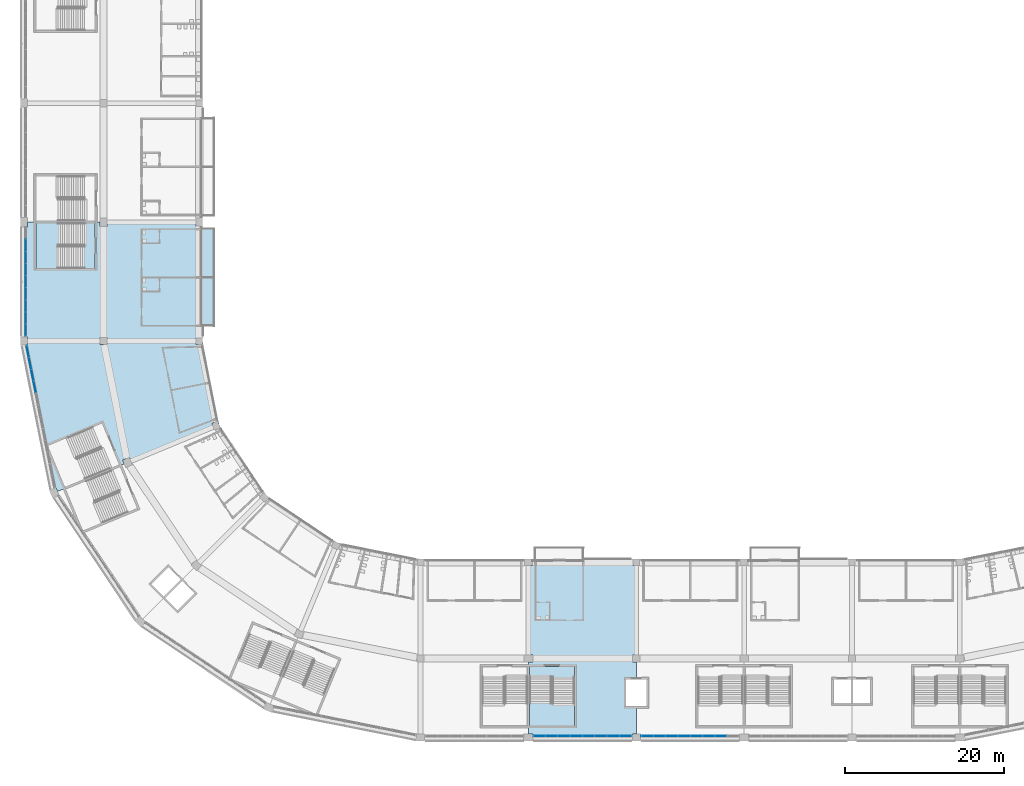
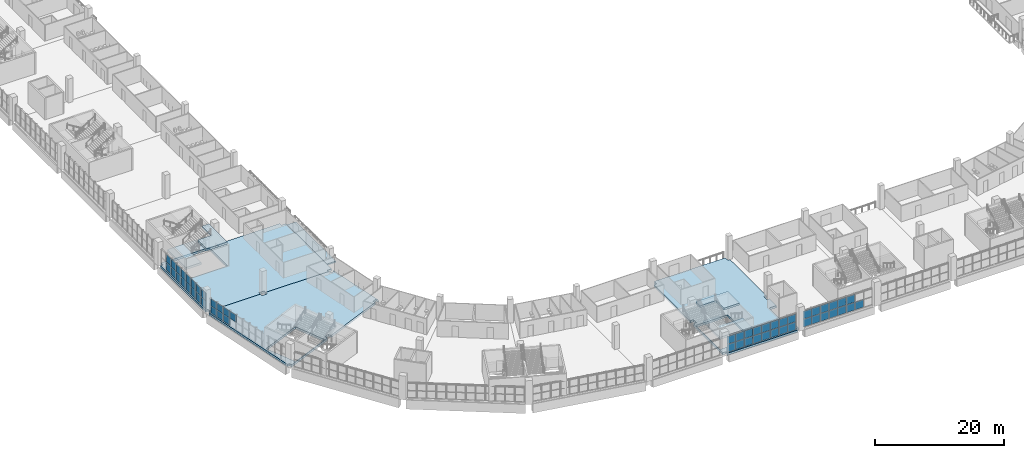
# One storey, part 57 of 199: 52 plates, 8 slabs, 6 elements without a shape of their own.
"""IFC4 building model written with IfcOpenShell, lengths in metres."""

from ifc_helpers import new_model, si_unit, direction, frame, origin, origin_2d, place, context, subcontext, project, spatial, polyline, rectangle, outline, extrude, material, layer, layer_set, type_object, element, aggregate, save


model = new_model("IFC4")

# Units and contexts
model_context = context("Model", 3, precision=1e-05, world=origin(), true_north=direction((0.0, 1.0)))
body_context = subcontext(model_context, "Body", "Model", "MODEL_VIEW")
ifc_project = project(units=[si_unit("LENGTHUNIT", "METRE"), si_unit("AREAUNIT", "SQUARE_METRE"), si_unit("VOLUMEUNIT", "CUBIC_METRE"), si_unit("PLANEANGLEUNIT", "RADIAN"), si_unit("MASSUNIT", "GRAM", prefix="KILO")], contexts=[model_context])

# Site, building, storey
site_placement = place(None, origin())
site = spatial("IfcSite", under=ifc_project, at=site_placement, CompositionType="ELEMENT")
building_placement = place(site_placement, origin())
building = spatial("IfcBuilding", under=site, at=building_placement, Name="Ogive Plaza Stadium", CompositionType="ELEMENT")
storey_placement = place(building_placement, frame((0.0, 0.0, 9.0)))
storey = spatial("IfcBuildingStorey", under=building, at=storey_placement, Name="L02", CompositionType="ELEMENT", Elevation=9.0)

# Slab
ifc_material_1 = material(Name="Concrete C40/50", Category="concrete")
ifc_layer_1 = layer(ifc_material_1, 0.25)
ifc_layer_set_1 = layer_set([ifc_layer_1], Name="Concrete C40/50")
slab_type_1 = type_object("IfcSlabType", Name="Balcony slab 250", PredefinedType="FLOOR", material=ifc_layer_set_1)
slab_1_placement = place(storey_placement, frame((0.0, 0.0, -0.25)))
element("IfcSlab", 1, at=slab_1_placement, inside=storey, type_object=slab_type_1, Name="Suite terrace slab B21", PredefinedType="FLOOR", context=body_context, shape_type="SweptSolid", body=[
    extrude(outline(polyline([(-59.89990234375, -38.324951171875), (-61.5, -38.324951171875), (-61.5, -50.625), (-59.89990234375, -50.625), (-59.89990234375, -38.324951171875)])), origin(), (0.0, 0.0, 1.0), 0.25),
])

# Curtain wall, plates
ifc_material_2 = material(Name="Bronze-anodised aluminium with laminated glass", Category="aluminium")
curtain_wall_type = type_object("IfcCurtainWallType", Name="Lancet curtain wall", PredefinedType="NOTDEFINED", material=ifc_material_2)
curtain_wall_1_placement = place(storey_placement, origin())
curtain_wall_1 = element("IfcCurtainWall", 2, at=curtain_wall_1_placement, inside=storey, type_object=curtain_wall_type, Name="CURTAIN WALL B14 L02", PredefinedType="NOTDEFINED")
ifc_material_3 = material(Name="Laminated glass", Category="glass")
ifc_layer_2 = layer(ifc_material_3, 0.028076171875)
ifc_layer_set_2 = layer_set([ifc_layer_2], Name="Laminated glass panel 28")
plate_type = type_object("IfcPlateType", Name="Laminated glass panel 28", PredefinedType="CURTAIN_PANEL", material=ifc_layer_set_2)
plate_1_placement = place(storey_placement, frame((3.875, -102.300048828125, 0.0498046875), z_axis=(0.0, 0.0, 1.0), x_axis=(-1.0, 0.0, 0.0)))
plate_1 = element("IfcPlate", 3, at=plate_1_placement, type_object=plate_type, Name="CW-B14-L02 panel 2.1", PredefinedType="CURTAIN_PANEL", context=body_context, shape_type="SweptSolid", body=[
    extrude(rectangle(XDim=1.5, YDim=0.028076171875, at=origin_2d()), origin(), (0.0, 0.0, 1.0), 1.469970703125),
])
plate_2_placement = place(storey_placement, frame((2.324951171875, -102.300048828125, 0.0498046875), z_axis=(0.0, 0.0, 1.0), x_axis=(-1.0, 0.0, 0.0)))
plate_2 = element("IfcPlate", 4, at=plate_2_placement, type_object=plate_type, Name="CW-B14-L02 panel 3.1", PredefinedType="CURTAIN_PANEL", context=body_context, shape_type="SweptSolid", body=[
    extrude(rectangle(XDim=1.5, YDim=0.028076171875, at=origin_2d()), origin(), (0.0, 0.0, 1.0), 1.469970703125),
])
plate_3_placement = place(storey_placement, frame((2.324951171875, -102.300048828125, 1.56982421875), z_axis=(0.0, 0.0, 1.0), x_axis=(-1.0, 0.0, 0.0)))
plate_3 = element("IfcPlate", 5, at=plate_3_placement, type_object=plate_type, Name="CW-B14-L02 panel 3.2", PredefinedType="CURTAIN_PANEL", context=body_context, shape_type="SweptSolid", body=[
    extrude(rectangle(XDim=1.5, YDim=0.028076171875, at=origin_2d()), origin(), (0.0, 0.0, 1.0), 1.469970703125),
])
plate_4_placement = place(storey_placement, frame((0.77490234375, -102.300048828125, 0.0498046875), z_axis=(0.0, 0.0, 1.0), x_axis=(-1.0, 0.0, 0.0)))
plate_4 = element("IfcPlate", 6, at=plate_4_placement, type_object=plate_type, Name="CW-B14-L02 panel 4.1", PredefinedType="CURTAIN_PANEL", context=body_context, shape_type="SweptSolid", body=[
    extrude(rectangle(XDim=1.5, YDim=0.028076171875, at=origin_2d()), origin(), (0.0, 0.0, 1.0), 1.469970703125),
])
plate_5_placement = place(storey_placement, frame((0.77490234375, -102.300048828125, 1.56982421875), z_axis=(0.0, 0.0, 1.0), x_axis=(-1.0, 0.0, 0.0)))
plate_5 = element("IfcPlate", 7, at=plate_5_placement, type_object=plate_type, Name="CW-B14-L02 panel 4.2", PredefinedType="CURTAIN_PANEL", context=body_context, shape_type="SweptSolid", body=[
    extrude(rectangle(XDim=1.5, YDim=0.028076171875, at=origin_2d()), origin(), (0.0, 0.0, 1.0), 1.469970703125),
])
plate_6_placement = place(storey_placement, frame((-0.77490234375, -102.300048828125, 0.0498046875), z_axis=(0.0, 0.0, 1.0), x_axis=(-1.0, 0.0, 0.0)))
plate_6 = element("IfcPlate", 8, at=plate_6_placement, type_object=plate_type, Name="CW-B14-L02 panel 5.1", PredefinedType="CURTAIN_PANEL", context=body_context, shape_type="SweptSolid", body=[
    extrude(rectangle(XDim=1.5, YDim=0.028076171875, at=origin_2d()), origin(), (0.0, 0.0, 1.0), 1.469970703125),
])
plate_7_placement = place(storey_placement, frame((-0.77490234375, -102.300048828125, 1.56982421875), z_axis=(0.0, 0.0, 1.0), x_axis=(-1.0, 0.0, 0.0)))
plate_7 = element("IfcPlate", 9, at=plate_7_placement, type_object=plate_type, Name="CW-B14-L02 panel 5.2", PredefinedType="CURTAIN_PANEL", context=body_context, shape_type="SweptSolid", body=[
    extrude(rectangle(XDim=1.5, YDim=0.028076171875, at=origin_2d()), origin(), (0.0, 0.0, 1.0), 1.469970703125),
])
plate_8_placement = place(storey_placement, frame((-2.324951171875, -102.300048828125, 0.0498046875), z_axis=(0.0, 0.0, 1.0), x_axis=(-1.0, 0.0, 0.0)))
plate_8 = element("IfcPlate", 10, at=plate_8_placement, type_object=plate_type, Name="CW-B14-L02 panel 6.1", PredefinedType="CURTAIN_PANEL", context=body_context, shape_type="SweptSolid", body=[
    extrude(rectangle(XDim=1.5, YDim=0.028076171875, at=origin_2d()), origin(), (0.0, 0.0, 1.0), 1.469970703125),
])
plate_9_placement = place(storey_placement, frame((-2.324951171875, -102.300048828125, 1.56982421875), z_axis=(0.0, 0.0, 1.0), x_axis=(-1.0, 0.0, 0.0)))
plate_9 = element("IfcPlate", 11, at=plate_9_placement, type_object=plate_type, Name="CW-B14-L02 panel 6.2", PredefinedType="CURTAIN_PANEL", context=body_context, shape_type="SweptSolid", body=[
    extrude(rectangle(XDim=1.5, YDim=0.028076171875, at=origin_2d()), origin(), (0.0, 0.0, 1.0), 1.469970703125),
])
plate_10_placement = place(storey_placement, frame((-3.875, -102.300048828125, 0.0498046875), z_axis=(0.0, 0.0, 1.0), x_axis=(-1.0, 0.0, 0.0)))
plate_10 = element("IfcPlate", 12, at=plate_10_placement, type_object=plate_type, Name="CW-B14-L02 panel 7.1", PredefinedType="CURTAIN_PANEL", context=body_context, shape_type="SweptSolid", body=[
    extrude(rectangle(XDim=1.5, YDim=0.028076171875, at=origin_2d()), origin(), (0.0, 0.0, 1.0), 1.469970703125),
])
plate_11_placement = place(storey_placement, frame((-3.875, -102.300048828125, 1.56982421875), z_axis=(0.0, 0.0, 1.0), x_axis=(-1.0, 0.0, 0.0)))
plate_11 = element("IfcPlate", 13, at=plate_11_placement, type_object=plate_type, Name="CW-B14-L02 panel 7.2", PredefinedType="CURTAIN_PANEL", context=body_context, shape_type="SweptSolid", body=[
    extrude(rectangle(XDim=1.5, YDim=0.028076171875, at=origin_2d()), origin(), (0.0, 0.0, 1.0), 1.469970703125),
])
plate_12_placement = place(storey_placement, frame((-5.41259765625, -102.300048828125, 0.0498046875), z_axis=(0.0, 0.0, 1.0), x_axis=(-1.0, 0.0, 0.0)))
plate_12 = element("IfcPlate", 14, at=plate_12_placement, type_object=plate_type, Name="CW-B14-L02 panel 8.1", PredefinedType="CURTAIN_PANEL", context=body_context, shape_type="SweptSolid", body=[
    extrude(rectangle(XDim=1.47509765625, YDim=0.028076171875, at=origin_2d()), origin(), (0.0, 0.0, 1.0), 1.469970703125),
])
plate_13_placement = place(storey_placement, frame((-5.41259765625, -102.300048828125, 1.56982421875), z_axis=(0.0, 0.0, 1.0), x_axis=(-1.0, 0.0, 0.0)))
plate_13 = element("IfcPlate", 15, at=plate_13_placement, type_object=plate_type, Name="CW-B14-L02 panel 8.2", PredefinedType="CURTAIN_PANEL", context=body_context, shape_type="SweptSolid", body=[
    extrude(rectangle(XDim=1.47509765625, YDim=0.028076171875, at=origin_2d()), origin(), (0.0, 0.0, 1.0), 1.469970703125),
])
aggregate(curtain_wall_1, [plate_1, plate_2, plate_3, plate_4, plate_5, plate_6, plate_7, plate_8, plate_9, plate_10, plate_11, plate_12, plate_13])

curtain_wall_2_placement = place(storey_placement, origin())
curtain_wall_2 = element("IfcCurtainWall", 16, at=curtain_wall_2_placement, inside=storey, type_object=curtain_wall_type, Name="CURTAIN WALL B15 L02", PredefinedType="NOTDEFINED")
plate_14_placement = place(storey_placement, frame((-8.1875, -102.300048828125, 0.0498046875), z_axis=(0.0, 0.0, 1.0), x_axis=(-1.0, 0.0, 0.0)))
plate_14 = element("IfcPlate", 17, at=plate_14_placement, type_object=plate_type, Name="CW-B15-L02 panel 1.1", PredefinedType="CURTAIN_PANEL", context=body_context, shape_type="SweptSolid", body=[
    extrude(rectangle(XDim=1.47509765625, YDim=0.028076171875, at=origin_2d()), origin(), (0.0, 0.0, 1.0), 1.469970703125),
])
plate_15_placement = place(storey_placement, frame((-8.1875, -102.300048828125, 1.56982421875), z_axis=(0.0, 0.0, 1.0), x_axis=(-1.0, 0.0, 0.0)))
plate_15 = element("IfcPlate", 18, at=plate_15_placement, type_object=plate_type, Name="CW-B15-L02 panel 1.2", PredefinedType="CURTAIN_PANEL", context=body_context, shape_type="SweptSolid", body=[
    extrude(rectangle(XDim=1.47509765625, YDim=0.028076171875, at=origin_2d()), origin(), (0.0, 0.0, 1.0), 1.469970703125),
])
plate_16_placement = place(storey_placement, frame((-9.72509765625, -102.300048828125, 0.0498046875), z_axis=(0.0, 0.0, 1.0), x_axis=(-1.0, 0.0, 0.0)))
plate_16 = element("IfcPlate", 19, at=plate_16_placement, type_object=plate_type, Name="CW-B15-L02 panel 2.1", PredefinedType="CURTAIN_PANEL", context=body_context, shape_type="SweptSolid", body=[
    extrude(rectangle(XDim=1.5, YDim=0.028076171875, at=origin_2d()), origin(), (0.0, 0.0, 1.0), 1.469970703125),
])
plate_17_placement = place(storey_placement, frame((-9.72509765625, -102.300048828125, 1.56982421875), z_axis=(0.0, 0.0, 1.0), x_axis=(-1.0, 0.0, 0.0)))
plate_17 = element("IfcPlate", 20, at=plate_17_placement, type_object=plate_type, Name="CW-B15-L02 panel 2.2", PredefinedType="CURTAIN_PANEL", context=body_context, shape_type="SweptSolid", body=[
    extrude(rectangle(XDim=1.5, YDim=0.028076171875, at=origin_2d()), origin(), (0.0, 0.0, 1.0), 1.469970703125),
])
plate_18_placement = place(storey_placement, frame((-11.27490234375, -102.300048828125, 0.0498046875), z_axis=(0.0, 0.0, 1.0), x_axis=(-1.0, 0.0, 0.0)))
plate_18 = element("IfcPlate", 21, at=plate_18_placement, type_object=plate_type, Name="CW-B15-L02 panel 3.1", PredefinedType="CURTAIN_PANEL", context=body_context, shape_type="SweptSolid", body=[
    extrude(rectangle(XDim=1.5, YDim=0.028076171875, at=origin_2d()), origin(), (0.0, 0.0, 1.0), 1.469970703125),
])
plate_19_placement = place(storey_placement, frame((-11.27490234375, -102.300048828125, 1.56982421875), z_axis=(0.0, 0.0, 1.0), x_axis=(-1.0, 0.0, 0.0)))
plate_19 = element("IfcPlate", 22, at=plate_19_placement, type_object=plate_type, Name="CW-B15-L02 panel 3.2", PredefinedType="CURTAIN_PANEL", context=body_context, shape_type="SweptSolid", body=[
    extrude(rectangle(XDim=1.5, YDim=0.028076171875, at=origin_2d()), origin(), (0.0, 0.0, 1.0), 1.469970703125),
])
plate_20_placement = place(storey_placement, frame((-12.824951171875, -102.300048828125, 0.0498046875), z_axis=(0.0, 0.0, 1.0), x_axis=(-1.0, 0.0, 0.0)))
plate_20 = element("IfcPlate", 23, at=plate_20_placement, type_object=plate_type, Name="CW-B15-L02 panel 4.1", PredefinedType="CURTAIN_PANEL", context=body_context, shape_type="SweptSolid", body=[
    extrude(rectangle(XDim=1.5, YDim=0.028076171875, at=origin_2d()), origin(), (0.0, 0.0, 1.0), 1.469970703125),
])
plate_21_placement = place(storey_placement, frame((-12.824951171875, -102.300048828125, 1.56982421875), z_axis=(0.0, 0.0, 1.0), x_axis=(-1.0, 0.0, 0.0)))
plate_21 = element("IfcPlate", 24, at=plate_21_placement, type_object=plate_type, Name="CW-B15-L02 panel 4.2", PredefinedType="CURTAIN_PANEL", context=body_context, shape_type="SweptSolid", body=[
    extrude(rectangle(XDim=1.5, YDim=0.028076171875, at=origin_2d()), origin(), (0.0, 0.0, 1.0), 1.469970703125),
])
plate_22_placement = place(storey_placement, frame((-14.375, -102.300048828125, 0.0498046875), z_axis=(0.0, 0.0, 1.0), x_axis=(-1.0, 0.0, 0.0)))
plate_22 = element("IfcPlate", 25, at=plate_22_placement, type_object=plate_type, Name="CW-B15-L02 panel 5.1", PredefinedType="CURTAIN_PANEL", context=body_context, shape_type="SweptSolid", body=[
    extrude(rectangle(XDim=1.5, YDim=0.028076171875, at=origin_2d()), origin(), (0.0, 0.0, 1.0), 1.469970703125),
])
plate_23_placement = place(storey_placement, frame((-14.375, -102.300048828125, 1.56982421875), z_axis=(0.0, 0.0, 1.0), x_axis=(-1.0, 0.0, 0.0)))
plate_23 = element("IfcPlate", 26, at=plate_23_placement, type_object=plate_type, Name="CW-B15-L02 panel 5.2", PredefinedType="CURTAIN_PANEL", context=body_context, shape_type="SweptSolid", body=[
    extrude(rectangle(XDim=1.5, YDim=0.028076171875, at=origin_2d()), origin(), (0.0, 0.0, 1.0), 1.469970703125),
])
plate_24_placement = place(storey_placement, frame((-15.925048828125, -102.300048828125, 0.0498046875), z_axis=(0.0, 0.0, 1.0), x_axis=(-1.0, 0.0, 0.0)))
plate_24 = element("IfcPlate", 27, at=plate_24_placement, type_object=plate_type, Name="CW-B15-L02 panel 6.1", PredefinedType="CURTAIN_PANEL", context=body_context, shape_type="SweptSolid", body=[
    extrude(rectangle(XDim=1.5, YDim=0.028076171875, at=origin_2d()), origin(), (0.0, 0.0, 1.0), 1.469970703125),
])
plate_25_placement = place(storey_placement, frame((-15.925048828125, -102.300048828125, 1.56982421875), z_axis=(0.0, 0.0, 1.0), x_axis=(-1.0, 0.0, 0.0)))
plate_25 = element("IfcPlate", 28, at=plate_25_placement, type_object=plate_type, Name="CW-B15-L02 panel 6.2", PredefinedType="CURTAIN_PANEL", context=body_context, shape_type="SweptSolid", body=[
    extrude(rectangle(XDim=1.5, YDim=0.028076171875, at=origin_2d()), origin(), (0.0, 0.0, 1.0), 1.469970703125),
])
plate_26_placement = place(storey_placement, frame((-17.47509765625, -102.300048828125, 0.0498046875), z_axis=(0.0, 0.0, 1.0), x_axis=(-1.0, 0.0, 0.0)))
plate_26 = element("IfcPlate", 29, at=plate_26_placement, type_object=plate_type, Name="CW-B15-L02 panel 7.1", PredefinedType="CURTAIN_PANEL", context=body_context, shape_type="SweptSolid", body=[
    extrude(rectangle(XDim=1.5, YDim=0.028076171875, at=origin_2d()), origin(), (0.0, 0.0, 1.0), 1.469970703125),
])
plate_27_placement = place(storey_placement, frame((-17.47509765625, -102.300048828125, 1.56982421875), z_axis=(0.0, 0.0, 1.0), x_axis=(-1.0, 0.0, 0.0)))
plate_27 = element("IfcPlate", 30, at=plate_27_placement, type_object=plate_type, Name="CW-B15-L02 panel 7.2", PredefinedType="CURTAIN_PANEL", context=body_context, shape_type="SweptSolid", body=[
    extrude(rectangle(XDim=1.5, YDim=0.028076171875, at=origin_2d()), origin(), (0.0, 0.0, 1.0), 1.469970703125),
])
plate_28_placement = place(storey_placement, frame((-19.012451171875, -102.300048828125, 0.0498046875), z_axis=(0.0, 0.0, 1.0), x_axis=(-1.0, 0.0, 0.0)))
plate_28 = element("IfcPlate", 31, at=plate_28_placement, type_object=plate_type, Name="CW-B15-L02 panel 8.1", PredefinedType="CURTAIN_PANEL", context=body_context, shape_type="SweptSolid", body=[
    extrude(rectangle(XDim=1.47509765625, YDim=0.028076171875, at=origin_2d()), origin(), (0.0, 0.0, 1.0), 1.469970703125),
])
plate_29_placement = place(storey_placement, frame((-19.012451171875, -102.300048828125, 1.56982421875), z_axis=(0.0, 0.0, 1.0), x_axis=(-1.0, 0.0, 0.0)))
plate_29 = element("IfcPlate", 32, at=plate_29_placement, type_object=plate_type, Name="CW-B15-L02 panel 8.2", PredefinedType="CURTAIN_PANEL", context=body_context, shape_type="SweptSolid", body=[
    extrude(rectangle(XDim=1.47509765625, YDim=0.028076171875, at=origin_2d()), origin(), (0.0, 0.0, 1.0), 1.469970703125),
])
aggregate(curtain_wall_2, [plate_14, plate_15, plate_16, plate_17, plate_18, plate_19, plate_20, plate_21, plate_22, plate_23, plate_24, plate_25, plate_26, plate_27, plate_28, plate_29])

curtain_wall_3_placement = place(storey_placement, origin())
curtain_wall_3 = element("IfcCurtainWall", 33, at=curtain_wall_3_placement, inside=storey, type_object=curtain_wall_type, Name="CURTAIN WALL B20 L02", PredefinedType="NOTDEFINED")
plate_30_placement = place(storey_placement, frame((-82.643310546875, -58.29541015625, 1.419921875), z_axis=(0.0, 0.0, 1.0), x_axis=(-0.195090322033, 0.9807852804, 0.0)))
plate_30 = element("IfcPlate", 34, at=plate_30_placement, type_object=plate_type, Name="CW-B20-L02 panel 9.2", PredefinedType="CURTAIN_PANEL", context=body_context, shape_type="SweptSolid", body=[
    extrude(rectangle(XDim=1.472412109375, YDim=0.028076171875, at=origin_2d()), origin(), (0.0, 0.0, 1.0), 1.320068359375),
])
plate_31_placement = place(storey_placement, frame((-82.9404296875, -56.80224609375, 0.0498046875), z_axis=(0.0, 0.0, 1.0), x_axis=(-0.195090322033, 0.9807852804, 0.0)))
plate_31 = element("IfcPlate", 35, at=plate_31_placement, type_object=plate_type, Name="CW-B20-L02 panel 10.1", PredefinedType="CURTAIN_PANEL", context=body_context, shape_type="SweptSolid", body=[
    extrude(rectangle(XDim=1.472412109375, YDim=0.028076171875, at=origin_2d()), origin(), (0.0, 0.0, 1.0), 1.320068359375),
])
plate_32_placement = place(storey_placement, frame((-82.9404296875, -56.80224609375, 1.419921875), z_axis=(0.0, 0.0, 1.0), x_axis=(-0.195090322033, 0.9807852804, 0.0)))
plate_32 = element("IfcPlate", 36, at=plate_32_placement, type_object=plate_type, Name="CW-B20-L02 panel 10.2", PredefinedType="CURTAIN_PANEL", context=body_context, shape_type="SweptSolid", body=[
    extrude(rectangle(XDim=1.472412109375, YDim=0.028076171875, at=origin_2d()), origin(), (0.0, 0.0, 1.0), 1.320068359375),
])
plate_33_placement = place(storey_placement, frame((-83.2373046875, -55.30908203125, 0.0498046875), z_axis=(0.0, 0.0, 1.0), x_axis=(-0.195090322033, 0.9807852804, 0.0)))
plate_33 = element("IfcPlate", 37, at=plate_33_placement, type_object=plate_type, Name="CW-B20-L02 panel 11.1", PredefinedType="CURTAIN_PANEL", context=body_context, shape_type="SweptSolid", body=[
    extrude(rectangle(XDim=1.472412109375, YDim=0.028076171875, at=origin_2d()), origin(), (0.0, 0.0, 1.0), 1.320068359375),
])
plate_34_placement = place(storey_placement, frame((-83.2373046875, -55.30908203125, 1.419921875), z_axis=(0.0, 0.0, 1.0), x_axis=(-0.195090322033, 0.9807852804, 0.0)))
plate_34 = element("IfcPlate", 38, at=plate_34_placement, type_object=plate_type, Name="CW-B20-L02 panel 11.2", PredefinedType="CURTAIN_PANEL", context=body_context, shape_type="SweptSolid", body=[
    extrude(rectangle(XDim=1.472412109375, YDim=0.028076171875, at=origin_2d()), origin(), (0.0, 0.0, 1.0), 1.320068359375),
])
plate_35_placement = place(storey_placement, frame((-83.531982421875, -53.828369140625, 0.0498046875), z_axis=(0.0, 0.0, 1.0), x_axis=(-0.195090322033, 0.9807852804, 0.0)))
plate_35 = element("IfcPlate", 39, at=plate_35_placement, type_object=plate_type, Name="CW-B20-L02 panel 12.1", PredefinedType="CURTAIN_PANEL", context=body_context, shape_type="SweptSolid", body=[
    extrude(rectangle(XDim=1.447265625, YDim=0.028076171875, at=origin_2d()), origin(), (0.0, 0.0, 1.0), 1.320068359375),
])
plate_36_placement = place(storey_placement, frame((-83.531982421875, -53.828369140625, 1.419921875), z_axis=(0.0, 0.0, 1.0), x_axis=(-0.195090322033, 0.9807852804, 0.0)))
plate_36 = element("IfcPlate", 40, at=plate_36_placement, type_object=plate_type, Name="CW-B20-L02 panel 12.2", PredefinedType="CURTAIN_PANEL", context=body_context, shape_type="SweptSolid", body=[
    extrude(rectangle(XDim=1.447265625, YDim=0.028076171875, at=origin_2d()), origin(), (0.0, 0.0, 1.0), 1.320068359375),
])
aggregate(curtain_wall_3, [plate_30, plate_31, plate_32, plate_33, plate_34, plate_35, plate_36])

curtain_wall_4_placement = place(storey_placement, origin())
curtain_wall_4 = element("IfcCurtainWall", 41, at=curtain_wall_4_placement, inside=storey, type_object=curtain_wall_type, Name="CURTAIN WALL B21 L02", PredefinedType="NOTDEFINED")
plate_37_placement = place(storey_placement, frame((-83.800048828125, -51.120849609375, 0.0498046875), z_axis=(0.0, 0.0, 1.0), x_axis=(0.0, 1.0, 0.0)))
plate_37 = element("IfcPlate", 42, at=plate_37_placement, type_object=plate_type, Name="CW-B21-L02 panel 1.1", PredefinedType="CURTAIN_PANEL", context=body_context, shape_type="SweptSolid", body=[
    extrude(rectangle(XDim=1.458251953125, YDim=0.028076171875, at=origin_2d()), origin(), (0.0, 0.0, 1.0), 1.469970703125),
])
plate_38_placement = place(storey_placement, frame((-83.800048828125, -51.120849609375, 1.56982421875), z_axis=(0.0, 0.0, 1.0), x_axis=(0.0, 1.0, 0.0)))
plate_38 = element("IfcPlate", 43, at=plate_38_placement, type_object=plate_type, Name="CW-B21-L02 panel 1.2", PredefinedType="CURTAIN_PANEL", context=body_context, shape_type="SweptSolid", body=[
    extrude(rectangle(XDim=1.458251953125, YDim=0.028076171875, at=origin_2d()), origin(), (0.0, 0.0, 1.0), 1.469970703125),
])
plate_39_placement = place(storey_placement, frame((-83.800048828125, -49.60009765625, 0.0498046875), z_axis=(0.0, 0.0, 1.0), x_axis=(0.0, 1.0, 0.0)))
plate_39 = element("IfcPlate", 44, at=plate_39_placement, type_object=plate_type, Name="CW-B21-L02 panel 2.1", PredefinedType="CURTAIN_PANEL", context=body_context, shape_type="SweptSolid", body=[
    extrude(rectangle(XDim=1.4833984375, YDim=0.028076171875, at=origin_2d()), origin(), (0.0, 0.0, 1.0), 1.469970703125),
])
plate_40_placement = place(storey_placement, frame((-83.800048828125, -49.60009765625, 1.56982421875), z_axis=(0.0, 0.0, 1.0), x_axis=(0.0, 1.0, 0.0)))
plate_40 = element("IfcPlate", 45, at=plate_40_placement, type_object=plate_type, Name="CW-B21-L02 panel 2.2", PredefinedType="CURTAIN_PANEL", context=body_context, shape_type="SweptSolid", body=[
    extrude(rectangle(XDim=1.4833984375, YDim=0.028076171875, at=origin_2d()), origin(), (0.0, 0.0, 1.0), 1.469970703125),
])
plate_41_placement = place(storey_placement, frame((-83.800048828125, -48.066650390625, 0.0498046875), z_axis=(0.0, 0.0, 1.0), x_axis=(0.0, 1.0, 0.0)))
plate_41 = element("IfcPlate", 46, at=plate_41_placement, type_object=plate_type, Name="CW-B21-L02 panel 3.1", PredefinedType="CURTAIN_PANEL", context=body_context, shape_type="SweptSolid", body=[
    extrude(rectangle(XDim=1.4833984375, YDim=0.028076171875, at=origin_2d()), origin(), (0.0, 0.0, 1.0), 1.469970703125),
])
plate_42_placement = place(storey_placement, frame((-83.800048828125, -48.066650390625, 1.56982421875), z_axis=(0.0, 0.0, 1.0), x_axis=(0.0, 1.0, 0.0)))
plate_42 = element("IfcPlate", 47, at=plate_42_placement, type_object=plate_type, Name="CW-B21-L02 panel 3.2", PredefinedType="CURTAIN_PANEL", context=body_context, shape_type="SweptSolid", body=[
    extrude(rectangle(XDim=1.4833984375, YDim=0.028076171875, at=origin_2d()), origin(), (0.0, 0.0, 1.0), 1.469970703125),
])
plate_43_placement = place(storey_placement, frame((-83.800048828125, -46.533447265625, 0.0498046875), z_axis=(0.0, 0.0, 1.0), x_axis=(0.0, 1.0, 0.0)))
plate_43 = element("IfcPlate", 48, at=plate_43_placement, type_object=plate_type, Name="CW-B21-L02 panel 4.1", PredefinedType="CURTAIN_PANEL", context=body_context, shape_type="SweptSolid", body=[
    extrude(rectangle(XDim=1.4833984375, YDim=0.028076171875, at=origin_2d()), origin(), (0.0, 0.0, 1.0), 1.469970703125),
])
plate_44_placement = place(storey_placement, frame((-83.800048828125, -46.533447265625, 1.56982421875), z_axis=(0.0, 0.0, 1.0), x_axis=(0.0, 1.0, 0.0)))
plate_44 = element("IfcPlate", 49, at=plate_44_placement, type_object=plate_type, Name="CW-B21-L02 panel 4.2", PredefinedType="CURTAIN_PANEL", context=body_context, shape_type="SweptSolid", body=[
    extrude(rectangle(XDim=1.4833984375, YDim=0.028076171875, at=origin_2d()), origin(), (0.0, 0.0, 1.0), 1.469970703125),
])
plate_45_placement = place(storey_placement, frame((-83.800048828125, -45.0, 0.0498046875), z_axis=(0.0, 0.0, 1.0), x_axis=(0.0, 1.0, 0.0)))
plate_45 = element("IfcPlate", 50, at=plate_45_placement, type_object=plate_type, Name="CW-B21-L02 panel 5.1", PredefinedType="CURTAIN_PANEL", context=body_context, shape_type="SweptSolid", body=[
    extrude(rectangle(XDim=1.4833984375, YDim=0.028076171875, at=origin_2d()), origin(), (0.0, 0.0, 1.0), 1.469970703125),
])
plate_46_placement = place(storey_placement, frame((-83.800048828125, -45.0, 1.56982421875), z_axis=(0.0, 0.0, 1.0), x_axis=(0.0, 1.0, 0.0)))
plate_46 = element("IfcPlate", 51, at=plate_46_placement, type_object=plate_type, Name="CW-B21-L02 panel 5.2", PredefinedType="CURTAIN_PANEL", context=body_context, shape_type="SweptSolid", body=[
    extrude(rectangle(XDim=1.4833984375, YDim=0.028076171875, at=origin_2d()), origin(), (0.0, 0.0, 1.0), 1.469970703125),
])
plate_47_placement = place(storey_placement, frame((-83.800048828125, -43.466552734375, 0.0498046875), z_axis=(0.0, 0.0, 1.0), x_axis=(0.0, 1.0, 0.0)))
plate_47 = element("IfcPlate", 52, at=plate_47_placement, type_object=plate_type, Name="CW-B21-L02 panel 6.1", PredefinedType="CURTAIN_PANEL", context=body_context, shape_type="SweptSolid", body=[
    extrude(rectangle(XDim=1.4833984375, YDim=0.028076171875, at=origin_2d()), origin(), (0.0, 0.0, 1.0), 1.469970703125),
])
plate_48_placement = place(storey_placement, frame((-83.800048828125, -43.466552734375, 1.56982421875), z_axis=(0.0, 0.0, 1.0), x_axis=(0.0, 1.0, 0.0)))
plate_48 = element("IfcPlate", 53, at=plate_48_placement, type_object=plate_type, Name="CW-B21-L02 panel 6.2", PredefinedType="CURTAIN_PANEL", context=body_context, shape_type="SweptSolid", body=[
    extrude(rectangle(XDim=1.4833984375, YDim=0.028076171875, at=origin_2d()), origin(), (0.0, 0.0, 1.0), 1.469970703125),
])
plate_49_placement = place(storey_placement, frame((-83.800048828125, -41.933349609375, 0.0498046875), z_axis=(0.0, 0.0, 1.0), x_axis=(0.0, 1.0, 0.0)))
plate_49 = element("IfcPlate", 54, at=plate_49_placement, type_object=plate_type, Name="CW-B21-L02 panel 7.1", PredefinedType="CURTAIN_PANEL", context=body_context, shape_type="SweptSolid", body=[
    extrude(rectangle(XDim=1.4833984375, YDim=0.028076171875, at=origin_2d()), origin(), (0.0, 0.0, 1.0), 1.469970703125),
])
plate_50_placement = place(storey_placement, frame((-83.800048828125, -41.933349609375, 1.56982421875), z_axis=(0.0, 0.0, 1.0), x_axis=(0.0, 1.0, 0.0)))
plate_50 = element("IfcPlate", 55, at=plate_50_placement, type_object=plate_type, Name="CW-B21-L02 panel 7.2", PredefinedType="CURTAIN_PANEL", context=body_context, shape_type="SweptSolid", body=[
    extrude(rectangle(XDim=1.4833984375, YDim=0.028076171875, at=origin_2d()), origin(), (0.0, 0.0, 1.0), 1.469970703125),
])
plate_51_placement = place(storey_placement, frame((-83.800048828125, -40.39990234375, 0.0498046875), z_axis=(0.0, 0.0, 1.0), x_axis=(0.0, 1.0, 0.0)))
plate_51 = element("IfcPlate", 56, at=plate_51_placement, type_object=plate_type, Name="CW-B21-L02 panel 8.1", PredefinedType="CURTAIN_PANEL", context=body_context, shape_type="SweptSolid", body=[
    extrude(rectangle(XDim=1.4833984375, YDim=0.028076171875, at=origin_2d()), origin(), (0.0, 0.0, 1.0), 1.469970703125),
])
plate_52_placement = place(storey_placement, frame((-83.800048828125, -40.39990234375, 1.56982421875), z_axis=(0.0, 0.0, 1.0), x_axis=(0.0, 1.0, 0.0)))
plate_52 = element("IfcPlate", 57, at=plate_52_placement, type_object=plate_type, Name="CW-B21-L02 panel 8.2", PredefinedType="CURTAIN_PANEL", context=body_context, shape_type="SweptSolid", body=[
    extrude(rectangle(XDim=1.4833984375, YDim=0.028076171875, at=origin_2d()), origin(), (0.0, 0.0, 1.0), 1.469970703125),
])
aggregate(curtain_wall_4, [plate_37, plate_38, plate_39, plate_40, plate_41, plate_42, plate_43, plate_44, plate_45, plate_46, plate_47, plate_48, plate_49, plate_50, plate_51, plate_52])

# Slabs
ifc_material_4 = material(Name="Concrete C40/50", Category="concrete")
ifc_layer_3 = layer(ifc_material_4, 0.409912109375)
ifc_layer_set_3 = layer_set([ifc_layer_3], Name="Concrete C40/50")
slab_type_2 = type_object("IfcSlabType", Name="RC floor slab 410", PredefinedType="FLOOR", material=ifc_layer_set_3)
slab_2_placement = place(storey_placement, frame((0.0, 0.0, -0.409912109375)))
element("IfcSlab", 58, at=slab_2_placement, inside=storey, type_object=slab_type_2, Name="Floor slab L02 B15", PredefinedType="FLOOR", context=body_context, shape_type="SweptSolid", body=[
    extrude(outline(polyline([(-20.39990234375, -92.050048828125), (-19.85009765625, -92.050048828125), (-19.85009765625, -92.949951171875), (-20.39990234375, -92.949951171875), (-20.39990234375, -102.050048828125), (-19.800048828125, -102.050048828125), (-19.800048828125, -102.5), (-7.300048828125, -102.5), (-7.300048828125, -102.050048828125), (-6.800048828125, -102.050048828125), (-6.800048828125, -98.550048828125), (-8.10009765625, -98.550048828125), (-8.10009765625, -95.14990234375), (-6.800048828125, -95.14990234375), (-6.800048828125, -92.949951171875), (-7.25, -92.949951171875), (-7.25, -92.050048828125), (-6.800048828125, -92.050048828125), (-6.800048828125, -80.800048828125), (-7.199951171875, -80.800048828125), (-7.199951171875, -80.0), (-19.89990234375, -80.0), (-19.89990234375, -80.800048828125), (-20.39990234375, -80.800048828125), (-20.39990234375, -92.050048828125)]), holes=[polyline([(-14.574951171875, -93.550048828125), (-20.27490234375, -93.550048828125), (-20.27490234375, -101.010009765625), (-14.574951171875, -101.010009765625), (-14.574951171875, -93.550048828125)])]), origin(), (0.0, 0.0, 1.0), 0.409912109375),
])
slab_3_placement = place(storey_placement, frame((0.0, 0.0, -0.409912109375)))
element("IfcSlab", 59, at=slab_3_placement, inside=storey, type_object=slab_type_2, Name="Floor slab L02 B20", PredefinedType="FLOOR", context=body_context, shape_type="SweptSolid", body=[
    extrude(outline(polyline([(-73.550048828125, -52.5), (-73.550048828125, -52.949951171875), (-74.449951171875, -52.949951171875), (-74.449951171875, -52.5), (-83.550048828125, -52.5), (-83.550048828125, -53.0), (-83.900634765625, -53.0), (-80.303466796875, -71.084228515625), (-79.98876953125, -70.953857421875), (-79.7783203125, -71.4619140625), (-71.370849609375, -67.9794921875), (-71.562255859375, -67.517578125), (-70.730712890625, -67.173095703125), (-70.53955078125, -67.635009765625), (-60.145751953125, -63.329833984375), (-60.318115234375, -62.914306640625), (-59.578857421875, -62.608154296875), (-59.40673828125, -63.023681640625), (-61.5, -52.5), (-61.5, -52.89990234375), (-62.300048828125, -52.89990234375), (-62.300048828125, -52.5), (-73.550048828125, -52.5)]), holes=[polyline([(-71.97314453125, -68.09375), (-74.154296875, -62.82763671875), (-81.046630859375, -65.682373046875), (-78.865234375, -70.948486328125), (-71.97314453125, -68.09375)])]), origin(), (0.0, 0.0, 1.0), 0.409912109375),
])
slab_4_placement = place(storey_placement, frame((0.0, 0.0, -0.409912109375)))
element("IfcSlab", 60, at=slab_4_placement, inside=storey, type_object=slab_type_2, Name="Floor slab L02 B21", PredefinedType="FLOOR", context=body_context, shape_type="SweptSolid", body=[
    extrude(outline(polyline([(-73.550048828125, -37.5), (-73.550048828125, -38.050048828125), (-74.449951171875, -38.050048828125), (-74.449951171875, -37.5), (-83.550048828125, -37.5), (-83.550048828125, -38.10009765625), (-84.0, -38.10009765625), (-84.0, -52.0), (-83.550048828125, -52.0), (-83.550048828125, -52.5), (-74.449951171875, -52.5), (-74.449951171875, -52.050048828125), (-73.550048828125, -52.050048828125), (-73.550048828125, -52.5), (-62.300048828125, -52.5), (-62.300048828125, -52.10009765625), (-61.5, -52.10009765625), (-61.5, -38.0), (-62.300048828125, -38.0), (-62.300048828125, -37.5), (-73.550048828125, -37.5)]), holes=[polyline([(-75.050048828125, -43.324951171875), (-75.050048828125, -37.625), (-82.510009765625, -37.625), (-82.510009765625, -43.324951171875), (-75.050048828125, -43.324951171875)])]), origin(), (0.0, 0.0, 1.0), 0.409912109375),
])

# Stair, slabs
ifc_material_5 = material(Name="Concrete C40/50", Category="concrete")
stair_type = type_object("IfcStairType", Name="Exit stair", PredefinedType="STRAIGHT_RUN_STAIR", material=ifc_material_5)
stair_1_placement = place(storey_placement, origin())
stair_1 = element("IfcStair", 61, at=stair_1_placement, inside=storey, type_object=stair_type, Name="Exit stair ST16B L02 to L03", PredefinedType="STRAIGHT_RUN_STAIR")
ifc_material_6 = material(Name="Concrete C40/50", Category="concrete")
ifc_layer_4 = layer(ifc_material_6, 0.39990234375)
ifc_layer_set_4 = layer_set([ifc_layer_4], Name="Concrete C40/50")
slab_type_3 = type_object("IfcSlabType", Name="Stair landing", PredefinedType="LANDING", material=ifc_layer_set_4)
slab_5_placement = place(storey_placement, frame((0.0, 0.0, 1.85009765625)))
slab_5 = element("IfcSlab", 62, at=slab_5_placement, type_object=slab_type_3, Name="ST16B landing 1", PredefinedType="LANDING", context=body_context, shape_type="SweptSolid", body=[
    extrude(outline(polyline([(-20.27490234375, -95.81005859375), (-17.47509765625, -95.81005859375), (-17.47509765625, -98.2099609375), (-14.574951171875, -98.2099609375), (-14.574951171875, -101.010009765625), (-20.27490234375, -101.010009765625), (-20.27490234375, -98.2099609375), (-20.27490234375, -95.81005859375)])), origin(), (0.0, 0.0, 1.0), 0.39990234375),
])
slab_6_placement = place(storey_placement, frame((0.0, 0.0, 4.10009765625)))
slab_6 = element("IfcSlab", 63, at=slab_6_placement, type_object=slab_type_3, Name="ST16B landing 2", PredefinedType="LANDING", context=body_context, shape_type="SweptSolid", body=[
    extrude(outline(polyline([(-20.27490234375, -94.85009765625), (-20.27490234375, -93.550048828125), (-14.574951171875, -93.550048828125), (-14.574951171875, -94.85009765625), (-14.574951171875, -97.25), (-17.375, -97.25), (-17.375, -94.85009765625), (-20.27490234375, -94.85009765625)])), origin(), (0.0, 0.0, 1.0), 0.39990234375),
])
aggregate(stair_1, [slab_5, slab_6])

stair_2_placement = place(storey_placement, origin())
stair_2 = element("IfcStair", 64, at=stair_2_placement, inside=storey, type_object=stair_type, Name="Exit stair ST22B L02 to L03", PredefinedType="STRAIGHT_RUN_STAIR")
slab_7_placement = place(storey_placement, frame((0.0, 0.0, 1.85009765625)))
slab_7 = element("IfcSlab", 65, at=slab_7_placement, type_object=slab_type_3, Name="ST22B landing 1", PredefinedType="LANDING", context=body_context, shape_type="SweptSolid", body=[
    extrude(outline(polyline([(-77.31005859375, -37.625), (-77.31005859375, -40.425048828125), (-79.7099609375, -40.425048828125), (-79.7099609375, -43.324951171875), (-82.510009765625, -43.324951171875), (-82.510009765625, -37.625), (-79.7099609375, -37.625), (-77.31005859375, -37.625)])), origin(), (0.0, 0.0, 1.0), 0.39990234375),
])
slab_8_placement = place(storey_placement, frame((0.0, 0.0, 4.10009765625)))
slab_8 = element("IfcSlab", 66, at=slab_8_placement, type_object=slab_type_3, Name="ST22B landing 2", PredefinedType="LANDING", context=body_context, shape_type="SweptSolid", body=[
    extrude(outline(polyline([(-76.35009765625, -37.625), (-75.050048828125, -37.625), (-75.050048828125, -43.324951171875), (-76.35009765625, -43.324951171875), (-78.75, -43.324951171875), (-78.75, -40.52490234375), (-76.35009765625, -40.52490234375), (-76.35009765625, -37.625)])), origin(), (0.0, 0.0, 1.0), 0.39990234375),
])
aggregate(stair_2, [slab_7, slab_8])

save(model, "model.ifc")
